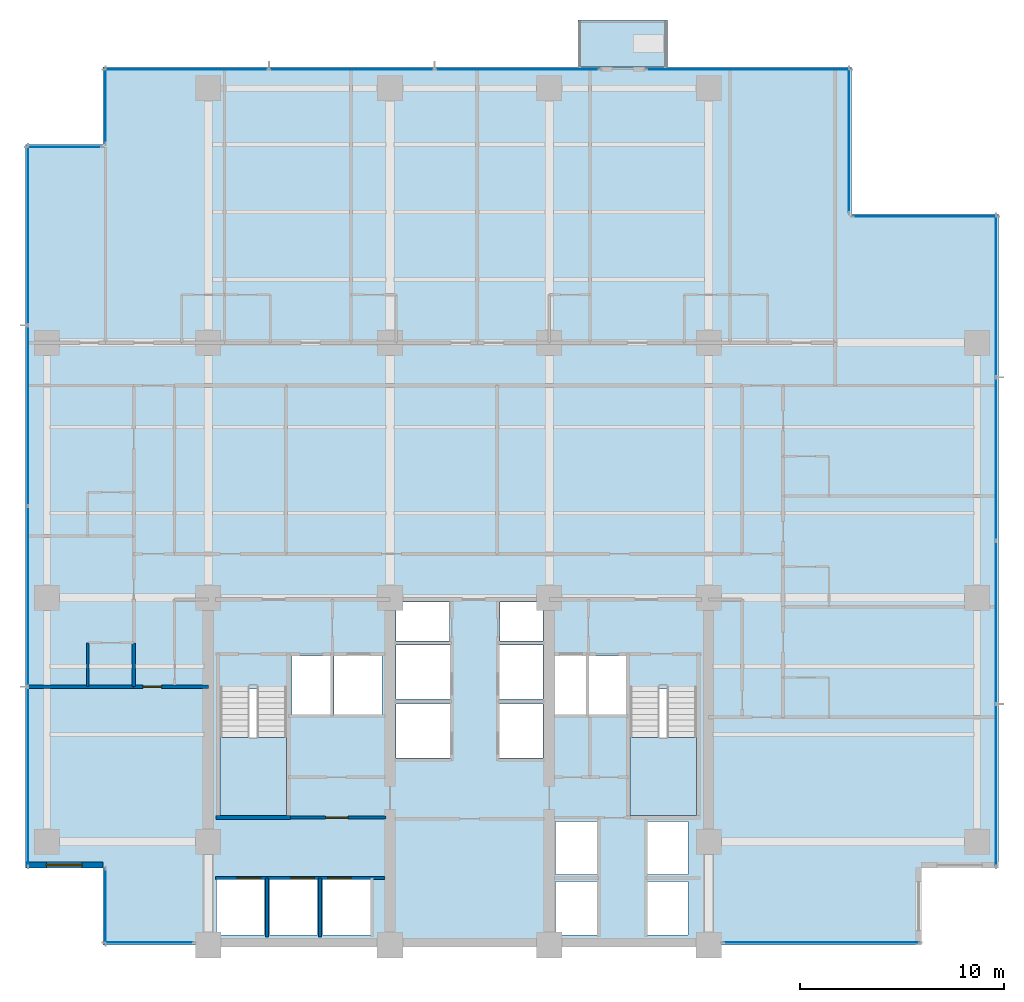
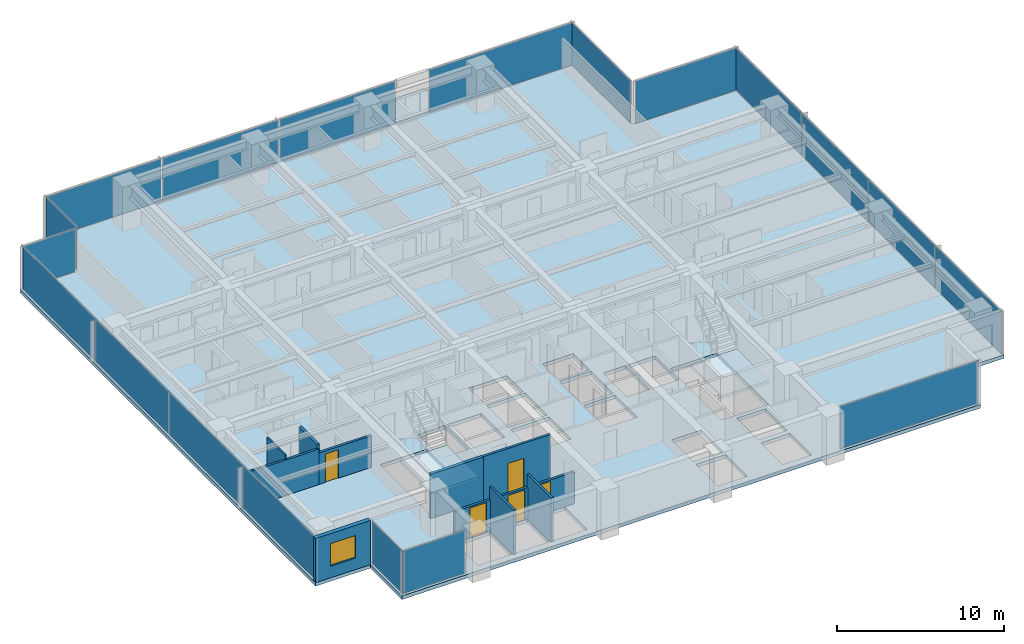
# One storey, part 7 of 17: 19 plates, 10 walls, 5 doors, 4 slabs, 1 window, 6 openings, 13 elements without a shape of their own.
"""IFC4 building model written with IfcOpenShell, lengths in metres."""

from ifc_helpers import new_model, si_unit, direction, frame, frame_2d, origin, origin_2d, place, context, subcontext, project, spatial, polyline, rectangle, outline, extrude, material, layer, layer_set, type_object, element, fill, aggregate, save


model = new_model("IFC4")

# Units and contexts
model_context = context("Model", 3, precision=1e-05, world=origin(), true_north=direction((0.0, 1.0)))
body_context = subcontext(model_context, "Body", "Model", "MODEL_VIEW")
ifc_project = project(units=[si_unit("LENGTHUNIT", "METRE"), si_unit("AREAUNIT", "SQUARE_METRE"), si_unit("VOLUMEUNIT", "CUBIC_METRE"), si_unit("PLANEANGLEUNIT", "RADIAN"), si_unit("MASSUNIT", "GRAM", prefix="KILO")], contexts=[model_context])

# Site, building, storey
site_placement = place(None, origin())
site = spatial("IfcSite", under=ifc_project, at=site_placement, CompositionType="ELEMENT")
building_placement = place(site_placement, origin())
building = spatial("IfcBuilding", under=site, at=building_placement, Name="Qalmaran Belvedere Hotel", CompositionType="ELEMENT")
storey_placement = place(building_placement, frame((0.0, 0.0, 102.199951171875)))
storey = spatial("IfcBuildingStorey", under=building, at=storey_placement, Name="L25", CompositionType="ELEMENT", Elevation=102.199951171875)

# Curtain wall, plate
ifc_material_1 = material(Name="Anodised Bronze Aluminium", Category="aluminium")
ifc_layer_1 = layer(ifc_material_1, 0.199951171875, Name="Anodised Bronze Aluminium")
ifc_layer_set_1 = layer_set([ifc_layer_1], Name="Anodised Bronze Aluminium")
curtain_wall_type = type_object("IfcCurtainWallType", Name="CW3-TOWER-LOWMID", PredefinedType="NOTDEFINED", material=ifc_layer_set_1)
curtain_wall_1_placement = place(storey_placement, origin())
curtain_wall_1 = element("IfcCurtainWall", 1, at=curtain_wall_1_placement, inside=storey, type_object=curtain_wall_type, Name="L25 Curtain Wall CW3", PredefinedType="NOTDEFINED")
ifc_material_2 = material(Name="Solar-Control Double Glazing", Category="glass")
ifc_layer_2 = layer(ifc_material_2, 0.028076171875, Name="Solar-Control Double Glazing")
ifc_layer_set_2 = layer_set([ifc_layer_2], Name="Solar-Control Double Glazing")
plate_type = type_object("IfcPlateType", Name="CWP-VISION-28", PredefinedType="CURTAIN_PANEL", material=ifc_layer_set_2)
plate_1_placement = place(storey_placement, frame((17.392578125, 3.6201171875, 0.06494140625), z_axis=(0.0, 0.0, 1.0), x_axis=(1.0, 0.0, 0.0)))
plate_1 = element("IfcPlate", 2, at=plate_1_placement, type_object=plate_type, Name="CW3 panel 1.1", PredefinedType="CURTAIN_PANEL", context=body_context, shape_type="SweptSolid", body=[
    extrude(rectangle(XDim=4.344970703125, YDim=0.028076171875, at=origin_2d()), origin(), (0.0, 0.0, 1.0), 3.110107421875),
])
aggregate(curtain_wall_1, [plate_1])

curtain_wall_2_placement = place(storey_placement, origin())
curtain_wall_2 = element("IfcCurtainWall", 3, at=curtain_wall_2_placement, inside=storey, type_object=curtain_wall_type, Name="L25 Curtain Wall CW3", PredefinedType="NOTDEFINED")
plate_2_placement = place(storey_placement, frame((50.33251953125, 3.6201171875, 0.06494140625), z_axis=(0.0, 0.0, 1.0), x_axis=(1.0, 0.0, 0.0)))
plate_2 = element("IfcPlate", 4, at=plate_2_placement, type_object=plate_type, Name="CW3 panel 1.1", PredefinedType="CURTAIN_PANEL", context=body_context, shape_type="SweptSolid", body=[
    extrude(rectangle(XDim=9.594970703125, YDim=0.028076171875, at=origin_2d()), origin(), (0.0, 0.0, 1.0), 3.110107421875),
])
aggregate(curtain_wall_2, [plate_2])

# Curtain wall, plates
curtain_wall_3_placement = place(storey_placement, origin())
curtain_wall_3 = element("IfcCurtainWall", 5, at=curtain_wall_3_placement, inside=storey, type_object=curtain_wall_type, Name="L25 Curtain Wall CW3", PredefinedType="NOTDEFINED")
plate_3_placement = place(storey_placement, frame((58.8798828125, 11.3173828125, 0.06494140625), z_axis=(0.0, 0.0, 1.0), x_axis=(0.0, 1.0, 0.0)))
plate_3 = element("IfcPlate", 6, at=plate_3_placement, type_object=plate_type, Name="CW3 panel 1.1", PredefinedType="CURTAIN_PANEL", context=body_context, shape_type="SweptSolid", body=[
    extrude(rectangle(XDim=7.89501953125, YDim=0.028076171875, at=origin_2d()), origin(), (0.0, 0.0, 1.0), 3.110107421875),
])
plate_4_placement = place(storey_placement, frame((58.8798828125, 19.300048828125, 0.06494140625), z_axis=(0.0, 0.0, 1.0), x_axis=(0.0, 1.0, 0.0)))
plate_4 = element("IfcPlate", 7, at=plate_4_placement, type_object=plate_type, Name="CW3 panel 2.1", PredefinedType="CURTAIN_PANEL", context=body_context, shape_type="SweptSolid", body=[
    extrude(rectangle(XDim=7.929931640625, YDim=0.028076171875, at=origin_2d()), origin(), (0.0, 0.0, 1.0), 3.110107421875),
])
plate_5_placement = place(storey_placement, frame((58.8798828125, 27.300048828125, 0.06494140625), z_axis=(0.0, 0.0, 1.0), x_axis=(0.0, 1.0, 0.0)))
plate_5 = element("IfcPlate", 8, at=plate_5_placement, type_object=plate_type, Name="CW3 panel 3.1", PredefinedType="CURTAIN_PANEL", context=body_context, shape_type="SweptSolid", body=[
    extrude(rectangle(XDim=7.929931640625, YDim=0.028076171875, at=origin_2d()), origin(), (0.0, 0.0, 1.0), 3.110107421875),
])
plate_6_placement = place(storey_placement, frame((58.8798828125, 35.282470703125, 0.06494140625), z_axis=(0.0, 0.0, 1.0), x_axis=(0.0, 1.0, 0.0)))
plate_6 = element("IfcPlate", 9, at=plate_6_placement, type_object=plate_type, Name="CW3 panel 4.1", PredefinedType="CURTAIN_PANEL", context=body_context, shape_type="SweptSolid", body=[
    extrude(rectangle(XDim=7.89501953125, YDim=0.028076171875, at=origin_2d()), origin(), (0.0, 0.0, 1.0), 3.110107421875),
])
aggregate(curtain_wall_3, [plate_3, plate_4, plate_5, plate_6])

# Curtain wall, plate
curtain_wall_4_placement = place(storey_placement, origin())
curtain_wall_4 = element("IfcCurtainWall", 10, at=curtain_wall_4_placement, inside=storey, type_object=curtain_wall_type, Name="L25 Curtain Wall CW3", PredefinedType="NOTDEFINED")
plate_7_placement = place(storey_placement, frame((55.39990234375, 39.179931640625, 0.06494140625), z_axis=(0.0, 0.0, 1.0), x_axis=(-1.0, 0.0, 0.0)))
plate_7 = element("IfcPlate", 11, at=plate_7_placement, type_object=plate_type, Name="CW3 panel 1.1", PredefinedType="CURTAIN_PANEL", context=body_context, shape_type="SweptSolid", body=[
    extrude(rectangle(XDim=7.06005859375, YDim=0.028076171875, at=origin_2d()), origin(), (0.0, 0.0, 1.0), 3.110107421875),
])
aggregate(curtain_wall_4, [plate_7])

curtain_wall_5_placement = place(storey_placement, origin())
curtain_wall_5 = element("IfcCurtainWall", 12, at=curtain_wall_5_placement, inside=storey, type_object=curtain_wall_type, Name="L25 Curtain Wall CW3", PredefinedType="NOTDEFINED")
plate_8_placement = place(storey_placement, frame((51.679931640625, 42.89990234375, 0.06494140625), z_axis=(0.0, 0.0, 1.0), x_axis=(0.0, 1.0, 0.0)))
plate_8 = element("IfcPlate", 13, at=plate_8_placement, type_object=plate_type, Name="CW3 panel 1.1", PredefinedType="CURTAIN_PANEL", context=body_context, shape_type="SweptSolid", body=[
    extrude(rectangle(XDim=7.06005859375, YDim=0.028076171875, at=origin_2d()), origin(), (0.0, 0.0, 1.0), 3.110107421875),
])
aggregate(curtain_wall_5, [plate_8])

# Curtain wall, plates
curtain_wall_6_placement = place(storey_placement, origin())
curtain_wall_6 = element("IfcCurtainWall", 14, at=curtain_wall_6_placement, inside=storey, type_object=curtain_wall_type, Name="L25 Curtain Wall CW3", PredefinedType="NOTDEFINED")
plate_9_placement = place(storey_placement, frame((35.424072265625, 46.3798828125, 0.06494140625), z_axis=(0.0, 0.0, 1.0), x_axis=(-1.0, 0.0, 0.0)))
plate_9 = element("IfcPlate", 15, at=plate_9_placement, type_object=plate_type, Name="CW3 panel 1.1", PredefinedType="CURTAIN_PANEL", context=body_context, shape_type="SweptSolid", body=[
    extrude(rectangle(XDim=8.01171875, YDim=0.028076171875, at=origin_2d()), origin(), (0.0, 0.0, 1.0), 3.110107421875),
])
plate_10_placement = place(storey_placement, frame((27.324951171875, 46.3798828125, 0.06494140625), z_axis=(0.0, 0.0, 1.0), x_axis=(-1.0, 0.0, 0.0)))
plate_10 = element("IfcPlate", 16, at=plate_10_placement, type_object=plate_type, Name="CW3 panel 2.1", PredefinedType="CURTAIN_PANEL", context=body_context, shape_type="SweptSolid", body=[
    extrude(rectangle(XDim=8.046630859375, YDim=0.028076171875, at=origin_2d()), origin(), (0.0, 0.0, 1.0), 3.110107421875),
])
plate_11_placement = place(storey_placement, frame((19.225830078125, 46.3798828125, 0.06494140625), z_axis=(0.0, 0.0, 1.0), x_axis=(-1.0, 0.0, 0.0)))
plate_11 = element("IfcPlate", 17, at=plate_11_placement, type_object=plate_type, Name="CW3 panel 3.1", PredefinedType="CURTAIN_PANEL", context=body_context, shape_type="SweptSolid", body=[
    extrude(rectangle(XDim=8.01171875, YDim=0.028076171875, at=origin_2d()), origin(), (0.0, 0.0, 1.0), 3.110107421875),
])
aggregate(curtain_wall_6, [plate_9, plate_10, plate_11])

# Curtain wall, plate
curtain_wall_7_placement = place(storey_placement, origin())
curtain_wall_7 = element("IfcCurtainWall", 18, at=curtain_wall_7_placement, inside=storey, type_object=curtain_wall_type, Name="L25 Curtain Wall CW3", PredefinedType="NOTDEFINED")
plate_12_placement = place(storey_placement, frame((46.75, 46.3798828125, 0.06494140625), z_axis=(0.0, 0.0, 1.0), x_axis=(-1.0, 0.0, 0.0)))
plate_12 = element("IfcPlate", 19, at=plate_12_placement, type_object=plate_type, Name="CW3 panel 1.1", PredefinedType="CURTAIN_PANEL", context=body_context, shape_type="SweptSolid", body=[
    extrude(rectangle(XDim=9.9599609375, YDim=0.028076171875, at=origin_2d()), origin(), (0.0, 0.0, 1.0), 3.110107421875),
])
aggregate(curtain_wall_7, [plate_12])

curtain_wall_8_placement = place(storey_placement, origin())
curtain_wall_8 = element("IfcCurtainWall", 20, at=curtain_wall_8_placement, inside=storey, type_object=curtain_wall_type, Name="L25 Curtain Wall CW3", PredefinedType="NOTDEFINED")
plate_13_placement = place(storey_placement, frame((15.27001953125, 44.60009765625, 0.06494140625), z_axis=(0.0, 0.0, 1.0), x_axis=(0.0, -1.0, 0.0)))
plate_13 = element("IfcPlate", 21, at=plate_13_placement, type_object=plate_type, Name="CW3 panel 1.1", PredefinedType="CURTAIN_PANEL", context=body_context, shape_type="SweptSolid", body=[
    extrude(rectangle(XDim=3.659912109375, YDim=0.028076171875, at=origin_2d()), origin(), (0.0, 0.0, 1.0), 3.110107421875),
])
aggregate(curtain_wall_8, [plate_13])

curtain_wall_9_placement = place(storey_placement, origin())
curtain_wall_9 = element("IfcCurtainWall", 22, at=curtain_wall_9_placement, inside=storey, type_object=curtain_wall_type, Name="L25 Curtain Wall CW3", PredefinedType="NOTDEFINED")
plate_14_placement = place(storey_placement, frame((13.25, 42.580078125, 0.06494140625), z_axis=(0.0, 0.0, 1.0), x_axis=(-1.0, 0.0, 0.0)))
plate_14 = element("IfcPlate", 23, at=plate_14_placement, type_object=plate_type, Name="CW3 panel 1.1", PredefinedType="CURTAIN_PANEL", context=body_context, shape_type="SweptSolid", body=[
    extrude(rectangle(XDim=3.659912109375, YDim=0.028076171875, at=origin_2d()), origin(), (0.0, 0.0, 1.0), 3.110107421875),
])
aggregate(curtain_wall_9, [plate_14])

# Curtain wall, plates
curtain_wall_10_placement = place(storey_placement, origin())
curtain_wall_10 = element("IfcCurtainWall", 24, at=curtain_wall_10_placement, inside=storey, type_object=curtain_wall_type, Name="L25 Curtain Wall CW3", PredefinedType="NOTDEFINED")
plate_15_placement = place(storey_placement, frame((11.469970703125, 38.257568359375, 0.06494140625), z_axis=(0.0, 0.0, 1.0), x_axis=(0.0, -1.0, 0.0)))
plate_15 = element("IfcPlate", 25, at=plate_15_placement, type_object=plate_type, Name="CW3 panel 1.1", PredefinedType="CURTAIN_PANEL", context=body_context, shape_type="SweptSolid", body=[
    extrude(rectangle(XDim=8.7451171875, YDim=0.028076171875, at=origin_2d()), origin(), (0.0, 0.0, 1.0), 3.110107421875),
])
plate_16_placement = place(storey_placement, frame((11.469970703125, 29.425048828125, 0.06494140625), z_axis=(0.0, 0.0, 1.0), x_axis=(0.0, -1.0, 0.0)))
plate_16 = element("IfcPlate", 26, at=plate_16_placement, type_object=plate_type, Name="CW3 panel 2.1", PredefinedType="CURTAIN_PANEL", context=body_context, shape_type="SweptSolid", body=[
    extrude(rectangle(XDim=8.780029296875, YDim=0.028076171875, at=origin_2d()), origin(), (0.0, 0.0, 1.0), 3.110107421875),
])
plate_17_placement = place(storey_placement, frame((11.469970703125, 20.574951171875, 0.06494140625), z_axis=(0.0, 0.0, 1.0), x_axis=(0.0, -1.0, 0.0)))
plate_17 = element("IfcPlate", 27, at=plate_17_placement, type_object=plate_type, Name="CW3 panel 3.1", PredefinedType="CURTAIN_PANEL", context=body_context, shape_type="SweptSolid", body=[
    extrude(rectangle(XDim=8.780029296875, YDim=0.028076171875, at=origin_2d()), origin(), (0.0, 0.0, 1.0), 3.110107421875),
])
plate_18_placement = place(storey_placement, frame((11.469970703125, 11.742431640625, 0.06494140625), z_axis=(0.0, 0.0, 1.0), x_axis=(0.0, -1.0, 0.0)))
plate_18 = element("IfcPlate", 28, at=plate_18_placement, type_object=plate_type, Name="CW3 panel 4.1", PredefinedType="CURTAIN_PANEL", context=body_context, shape_type="SweptSolid", body=[
    extrude(rectangle(XDim=8.7451171875, YDim=0.028076171875, at=origin_2d()), origin(), (0.0, 0.0, 1.0), 3.110107421875),
])
aggregate(curtain_wall_10, [plate_15, plate_16, plate_17, plate_18])

# Curtain wall, plate
curtain_wall_11_placement = place(storey_placement, origin())
curtain_wall_11 = element("IfcCurtainWall", 29, at=curtain_wall_11_placement, inside=storey, type_object=curtain_wall_type, Name="L25 Curtain Wall CW3", PredefinedType="NOTDEFINED")
plate_19_placement = place(storey_placement, frame((15.27001953125, 5.39990234375, 0.06494140625), z_axis=(0.0, 0.0, 1.0), x_axis=(0.0, -1.0, 0.0)))
plate_19 = element("IfcPlate", 30, at=plate_19_placement, type_object=plate_type, Name="CW3 panel 1.1", PredefinedType="CURTAIN_PANEL", context=body_context, shape_type="SweptSolid", body=[
    extrude(rectangle(XDim=3.659912109375, YDim=0.028076171875, at=origin_2d()), origin(), (0.0, 0.0, 1.0), 3.110107421875),
])
aggregate(curtain_wall_11, [plate_19])

# Slab
ifc_material_3 = material(Name="Concrete C40/50", Category="concrete")
ifc_layer_3 = layer(ifc_material_3, 0.219970703125, Name="Concrete C40/50")
ifc_layer_set_3 = layer_set([ifc_layer_3], Name="Concrete C40/50")
slab_type_1 = type_object("IfcSlabType", Name="SLB-BAL-220", PredefinedType="USERDEFINED", material=ifc_layer_set_3)
slab_1_placement = place(storey_placement, frame((0.0, 0.0, -0.219970703125)))
element("IfcSlab", 31, at=slab_1_placement, inside=storey, type_object=slab_type_1, Name="L25 Planted Tree Balcony Slab 1", ObjectType="BALCONY", PredefinedType="USERDEFINED", context=body_context, shape_type="SweptSolid", body=[
    extrude(outline(polyline([(38.39990234375, 46.5), (42.800048828125, 46.5), (42.800048828125, 48.800048828125), (38.39990234375, 48.800048828125), (38.39990234375, 46.5)])), origin(), (0.0, 0.0, 1.0), 0.219970703125),
])

# Stair, slab
stair_type_1 = type_object("IfcStairType", Name="STR-ST-1-1450-R1750", PredefinedType="HALF_TURN_STAIR", material=ifc_material_3)
stair_1_placement = place(storey_placement, origin())
stair_1 = element("IfcStair", 32, at=stair_1_placement, inside=storey, type_object=stair_type_1, Name="L25 West Core Exit Stair ST-1", PredefinedType="HALF_TURN_STAIR")
ifc_layer_4 = layer(ifc_material_3, 0.199951171875, Name="Concrete C40/50")
ifc_layer_set_4 = layer_set([ifc_layer_4], Name="Concrete C40/50")
slab_type_2 = type_object("IfcSlabType", Name="SLB-STAIR-LANDING-200", PredefinedType="LANDING", material=ifc_layer_set_4)
slab_2_placement = place(storey_placement, frame((0.0, 0.0, 1.550048828125)))
slab_2 = element("IfcSlab", 33, at=slab_2_placement, type_object=slab_type_2, Name="ST-1 landing 1", PredefinedType="LANDING", context=body_context, shape_type="SweptSolid", body=[
    extrude(outline(polyline([(20.8798828125, 13.669921875), (20.8798828125, 9.85009765625), (24.1201171875, 9.85009765625), (24.1201171875, 13.669921875), (20.8798828125, 13.669921875)])), origin(), (0.0, 0.0, 1.0), 0.199951171875),
])
aggregate(stair_1, [slab_2])

stair_type_2 = type_object("IfcStairType", Name="STR-ST-2-1450-R1750", PredefinedType="HALF_TURN_STAIR", material=ifc_material_3)
stair_2_placement = place(storey_placement, origin())
stair_2 = element("IfcStair", 34, at=stair_2_placement, inside=storey, type_object=stair_type_2, Name="L25 East Core Exit Stair ST-2", PredefinedType="HALF_TURN_STAIR")
slab_3_placement = place(storey_placement, frame((0.0, 0.0, 1.550048828125)))
slab_3 = element("IfcSlab", 35, at=slab_3_placement, type_object=slab_type_2, Name="ST-2 landing 1", PredefinedType="LANDING", context=body_context, shape_type="SweptSolid", body=[
    extrude(outline(polyline([(40.9599609375, 13.669921875), (40.9599609375, 9.85009765625), (44.199951171875, 9.85009765625), (44.199951171875, 13.669921875), (40.9599609375, 13.669921875)])), origin(), (0.0, 0.0, 1.0), 0.199951171875),
])
aggregate(stair_2, [slab_3])

# Slab
ifc_layer_5 = layer(ifc_material_3, 0.260009765625, Name="Concrete C40/50")
ifc_layer_set_5 = layer_set([ifc_layer_5], Name="Concrete C40/50")
slab_type_3 = type_object("IfcSlabType", Name="SLB-Z2-260", PredefinedType="FLOOR", material=ifc_layer_set_5)
slab_4_placement = place(storey_placement, frame((0.0, 0.0, -0.260009765625)))
element("IfcSlab", 36, at=slab_4_placement, inside=storey, type_object=slab_type_3, Name="L25 Structural Floor Slab", PredefinedType="FLOOR", context=body_context, shape_type="SweptSolid", body=[
    extrude(outline(polyline([(15.14990234375, 3.5), (55.199951171875, 3.5), (55.199951171875, 7.300048828125), (59.0, 7.300048828125), (59.0, 39.300048828125), (51.800048828125, 39.300048828125), (51.800048828125, 46.5), (15.14990234375, 46.5), (15.14990234375, 42.699951171875), (11.35009765625, 42.699951171875), (11.35009765625, 7.300048828125), (15.14990234375, 7.300048828125), (15.14990234375, 3.5)]), holes=[polyline([(20.8798828125, 9.85009765625), (24.1201171875, 9.85009765625), (24.1201171875, 16.0400390625), (20.8798828125, 16.0400390625), (20.8798828125, 9.85009765625)]), polyline([(40.9599609375, 9.85009765625), (44.199951171875, 9.85009765625), (44.199951171875, 16.0400390625), (40.9599609375, 16.0400390625), (40.9599609375, 9.85009765625)]), polyline([(29.4951171875, 12.64990234375), (32.14990234375, 12.64990234375), (32.14990234375, 15.300048828125), (29.4951171875, 15.300048828125), (29.4951171875, 12.64990234375)]), polyline([(29.4951171875, 15.550048828125), (32.14990234375, 15.550048828125), (32.14990234375, 18.199951171875), (29.4951171875, 18.199951171875), (29.4951171875, 15.550048828125)]), polyline([(34.550048828125, 12.64990234375), (36.705078125, 12.64990234375), (36.705078125, 15.300048828125), (34.550048828125, 15.300048828125), (34.550048828125, 12.64990234375)]), polyline([(34.550048828125, 15.550048828125), (36.705078125, 15.550048828125), (36.705078125, 18.199951171875), (34.550048828125, 18.199951171875), (34.550048828125, 15.550048828125)]), polyline([(37.300048828125, 4.0), (39.35009765625, 4.0), (39.35009765625, 6.60009765625), (37.300048828125, 6.60009765625), (37.300048828125, 4.0)]), polyline([(37.300048828125, 6.949951171875), (39.35009765625, 6.949951171875), (39.35009765625, 9.550048828125), (37.300048828125, 9.550048828125), (37.300048828125, 6.949951171875)]), polyline([(41.800048828125, 4.0), (43.800048828125, 4.0), (43.800048828125, 6.60009765625), (41.800048828125, 6.60009765625), (41.800048828125, 4.0)]), polyline([(41.800048828125, 6.949951171875), (43.800048828125, 6.949951171875), (43.800048828125, 9.550048828125), (41.800048828125, 9.550048828125), (41.800048828125, 6.949951171875)]), polyline([(20.699951171875, 4.0), (23.050048828125, 4.0), (23.050048828125, 6.699951171875), (20.699951171875, 6.699951171875), (20.699951171875, 4.0)]), polyline([(23.300048828125, 4.0), (25.64990234375, 4.0), (25.64990234375, 6.699951171875), (23.300048828125, 6.699951171875), (23.300048828125, 4.0)]), polyline([(25.89990234375, 4.0), (28.25, 4.0), (28.25, 6.699951171875), (25.89990234375, 6.699951171875), (25.89990234375, 4.0)]), polyline([(24.39990234375, 14.800048828125), (26.300048828125, 14.800048828125), (26.300048828125, 17.64990234375), (24.39990234375, 17.64990234375), (24.39990234375, 14.800048828125)]), polyline([(38.949951171875, 14.800048828125), (40.820068359375, 14.800048828125), (40.820068359375, 17.64990234375), (38.949951171875, 17.64990234375), (38.949951171875, 14.800048828125)]), polyline([(26.449951171875, 14.800048828125), (28.800048828125, 14.800048828125), (28.800048828125, 17.64990234375), (26.449951171875, 17.64990234375), (26.449951171875, 14.800048828125)]), polyline([(37.25, 14.800048828125), (38.800048828125, 14.800048828125), (38.800048828125, 17.64990234375), (37.25, 17.64990234375), (37.25, 14.800048828125)]), polyline([(29.4951171875, 18.3798828125), (32.1201171875, 18.3798828125), (32.1201171875, 20.300048828125), (29.4951171875, 20.300048828125), (29.4951171875, 18.3798828125)]), polyline([(34.580078125, 18.3798828125), (36.705078125, 18.3798828125), (36.705078125, 20.300048828125), (34.580078125, 20.300048828125), (34.580078125, 18.3798828125)])]), origin(), (0.0, 0.0, 1.0), 0.260009765625),
])

# Wall, opening, window
ifc_material_4 = material(Name="Anodised Bronze Cladding")
ifc_layer_6 = layer(ifc_material_4, 0.280029296875, Name="Anodised Bronze Cladding")
ifc_layer_set_6 = layer_set([ifc_layer_6], Name="Anodised Bronze Cladding")
wall_type_1 = type_object("IfcWallType", Name="WL-EXT-BRNZ-280", PredefinedType="SOLIDWALL", material=ifc_layer_set_6)
wall_1_placement = place(storey_placement, frame((11.35009765625, 7.419921875, 0.0), z_axis=(0.0, 0.0, 1.0), x_axis=(1.0, 0.0, 0.0)))
wall_1 = element("IfcWall", 37, at=wall_1_placement, inside=storey, type_object=wall_type_1, Name="L25 Corner Notch Wall 10", PredefinedType="SOLIDWALL", context=body_context, shape_type="SweptSolid", body=[
    extrude(rectangle(XDim=3.7998046875, YDim=0.280029296875, at=frame_2d((1.89990234375, 0.0))), origin(), (0.0, 0.0, 1.0), 3.239990234375),
])
opening_1_placement = place(wall_1_placement, frame((1.02490234375, 0.0, 0.85009765625)))
opening_1 = element("IfcOpeningElement", 38, at=opening_1_placement, cuts=wall_1, Name="Opening W-N17", PredefinedType="OPENING", context=body_context, shape_type="SweptSolid", body=[
    extrude(rectangle(XDim=1.75, YDim=1.64990234375, at=frame_2d((0.875, 0.824951171875))), frame((0.0, 0.14990234375, 0.0), z_axis=(0.0, -1.0, 0.0), x_axis=(1.0, 0.0, 0.0)), (0.0, 0.0, 1.0), 0.300048828125),
])
window_type = type_object("IfcWindowType", Name="WN-NTC-1750X1650", PartitioningType="SINGLE_PANEL", PredefinedType="WINDOW", material=ifc_material_2)
window_placement = place(opening_1_placement, origin())
window = element("IfcWindow", 39, at=window_placement, inside=storey, type_object=window_type, Name="L25 Corner Notch Window 10", OverallHeight=1.64990234375, OverallWidth=1.75, PartitioningType="SINGLE_PANEL", PredefinedType="WINDOW", context=body_context, shape_type="SweptSolid", body=[
    extrude(rectangle(XDim=1.75, YDim=1.64990234375, at=frame_2d((0.875, 0.824951171875))), frame((0.0, 0.030029296875, 0.0), z_axis=(0.0, -1.0, 0.0), x_axis=(1.0, 0.0, 0.0)), (0.0, 0.0, 1.0), 0.06005859375),
])
fill(opening_1, window)

# Walls
ifc_material_5 = material(Name="Moisture-Resistant Gypsum")
ifc_layer_7 = layer(ifc_material_5, 0.1201171875, Name="Moisture-Resistant Gypsum")
ifc_layer_set_7 = layer_set([ifc_layer_7], Name="Moisture-Resistant Gypsum")
wall_type_2 = type_object("IfcWallType", Name="WL-INT-120-BATH", PredefinedType="PARTITIONING", material=ifc_layer_set_7)
wall_2_placement = place(storey_placement, frame((14.39990234375, 16.14990234375, 0.0), z_axis=(0.0, 0.0, 1.0), x_axis=(0.0, 1.0, 0.0)))
element("IfcWall", 40, at=wall_2_placement, inside=storey, type_object=wall_type_2, Name="L25 Partition WL-L25-WBS00", PredefinedType="PARTITIONING", context=body_context, shape_type="SweptSolid", body=[
    extrude(rectangle(XDim=2.150146484375, YDim=0.1201171875, at=frame_2d((1.0751953125, 0.0))), origin(), (0.0, 0.0, 1.0), 2.922119140625),
])
ifc_material_6 = material(Name="Gypsum Stud Partition")
ifc_layer_8 = layer(ifc_material_6, 0.14990234375, Name="Gypsum Stud Partition")
ifc_layer_set_8 = layer_set([ifc_layer_8], Name="Gypsum Stud Partition")
wall_type_3 = type_object("IfcWallType", Name="WL-INT-150-EI120", PredefinedType="PARTITIONING", material=ifc_layer_set_8)
for number, where, z_axis, x_axis, name in (
    (41, (23.179931640625, 3.89990234375, 0.0), (0.0, 0.0, 1.0), (0.0, 1.0, 0.0), "L25 Partition WL-POM1-L25"),
    (42, (25.780029296875, 3.89990234375, 0.0), (0.0, 0.0, 1.0), (0.0, 1.0, 0.0), "L25 Partition WL-POM2-L25"),
):
    element("IfcWall", number, at=place(storey_placement, frame(where, z_axis=z_axis, x_axis=x_axis)), inside=storey, type_object=wall_type_3, Name=name, PredefinedType="PARTITIONING", context=body_context, shape_type="SweptSolid", body=[
        extrude(rectangle(XDim=2.880126953125, YDim=0.14990234375, at=frame_2d((1.43994140625, 0.0))), origin(), (0.0, 0.0, 1.0), 3.239990234375),
    ])

# Wall, openings, doors
ifc_layer_9 = layer(ifc_material_6, 0.159912109375, Name="Gypsum Stud Partition")
ifc_layer_set_9 = layer_set([ifc_layer_9], Name="Gypsum Stud Partition")
wall_type_4 = type_object("IfcWallType", Name="WL-INT-160-EI120", PredefinedType="PARTITIONING", material=ifc_layer_set_9)
wall_3_placement = place(storey_placement, frame((20.64990234375, 6.780029296875, 0.0), z_axis=(0.0, 0.0, 1.0), x_axis=(1.0, 0.0, 0.0)))
wall_3 = element("IfcWall", 43, at=wall_3_placement, inside=storey, type_object=wall_type_4, Name="L25 Partition WL-POS-L25", PredefinedType="PARTITIONING", context=body_context, shape_type="SweptSolid", body=[
    extrude(rectangle(XDim=8.300048828125, YDim=0.159912109375, at=frame_2d((4.14990234375, 0.0))), origin(), (0.0, 0.0, 1.0), 2.31298828125),
])
opening_2_placement = place(wall_3_placement, frame((3.69482421875, 0.0, 0.0)))
opening_2 = element("IfcOpeningElement", 44, at=opening_2_placement, cuts=wall_3, Name="Opening LD-PO", PredefinedType="OPENING", context=body_context, shape_type="SweptSolid", body=[
    extrude(rectangle(XDim=1.14990234375, YDim=2.199951171875, at=frame_2d((0.574951171875, 1.10009765625))), frame((0.0, 0.08984375, 0.0), z_axis=(0.0, -1.0, 0.0), x_axis=(1.0, 0.0, 0.0)), (0.0, 0.0, 1.0), 0.179931640625),
])
opening_3_placement = place(wall_3_placement, frame((5.4921875, 0.0, 0.0)))
opening_3 = element("IfcOpeningElement", 45, at=opening_3_placement, cuts=wall_3, Name="Opening LD-PO", PredefinedType="OPENING", context=body_context, shape_type="SweptSolid", body=[
    extrude(rectangle(XDim=1.14990234375, YDim=2.199951171875, at=frame_2d((0.574951171875, 1.10009765625))), frame((0.0, 0.08984375, 0.0), z_axis=(0.0, -1.0, 0.0), x_axis=(1.0, 0.0, 0.0)), (0.0, 0.0, 1.0), 0.179931640625),
])
opening_4_placement = place(wall_3_placement, frame((1.058837890625, 0.0, 0.0)))
opening_4 = element("IfcOpeningElement", 46, at=opening_4_placement, cuts=wall_3, Name="Opening LD-PO", PredefinedType="OPENING", context=body_context, shape_type="SweptSolid", body=[
    extrude(rectangle(XDim=1.14990234375, YDim=2.199951171875, at=frame_2d((0.574951171875, 1.10009765625))), frame((0.0, 0.08984375, 0.0), z_axis=(0.0, -1.0, 0.0), x_axis=(1.0, 0.0, 0.0)), (0.0, 0.0, 1.0), 0.179931640625),
])
door_type_1 = type_object("IfcDoorType", Name="DR-LIFT-PO-1150X2200", OperationType="DOUBLE_DOOR_SLIDING", PredefinedType="DOOR", material=ifc_material_1)
door_1_placement = place(opening_2_placement, origin())
door_1 = element("IfcDoor", 47, at=door_1_placement, inside=storey, type_object=door_type_1, Name="L25 PO1 Shuttle Landing Door", OperationType="DOUBLE_DOOR_SLIDING", OverallHeight=2.199951171875, OverallWidth=1.14990234375, PredefinedType="DOOR", context=body_context, shape_type="SweptSolid", body=[
    extrude(rectangle(XDim=1.14990234375, YDim=2.199951171875, at=frame_2d((0.574951171875, 1.10009765625))), frame((0.0, 0.02490234375, 0.0), z_axis=(0.0, -1.0, 0.0), x_axis=(1.0, 0.0, 0.0)), (0.0, 0.0, 1.0), 0.050048828125),
])
fill(opening_2, door_1)
door_2_placement = place(opening_3_placement, origin())
door_2 = element("IfcDoor", 48, at=door_2_placement, inside=storey, type_object=door_type_1, Name="L25 PO2 Shuttle Landing Door", OperationType="DOUBLE_DOOR_SLIDING", OverallHeight=2.199951171875, OverallWidth=1.14990234375, PredefinedType="DOOR", context=body_context, shape_type="SweptSolid", body=[
    extrude(rectangle(XDim=1.14990234375, YDim=2.199951171875, at=frame_2d((0.574951171875, 1.10009765625))), frame((0.0, 0.02490234375, 0.0), z_axis=(0.0, -1.0, 0.0), x_axis=(1.0, 0.0, 0.0)), (0.0, 0.0, 1.0), 0.050048828125),
])
fill(opening_3, door_2)
door_3_placement = place(opening_4_placement, origin())
door_3 = element("IfcDoor", 49, at=door_3_placement, inside=storey, type_object=door_type_1, Name="L25 PO3 Shuttle Landing Door", OperationType="DOUBLE_DOOR_SLIDING", OverallHeight=2.199951171875, OverallWidth=1.14990234375, PredefinedType="DOOR", context=body_context, shape_type="SweptSolid", body=[
    extrude(rectangle(XDim=1.14990234375, YDim=2.199951171875, at=frame_2d((0.574951171875, 1.10009765625))), frame((0.0, 0.02490234375, 0.0), z_axis=(0.0, -1.0, 0.0), x_axis=(1.0, 0.0, 0.0)), (0.0, 0.0, 1.0), 0.050048828125),
])
fill(opening_4, door_3)

# Wall, opening, door
wall_4_placement = place(storey_placement, frame((24.199951171875, 9.739990234375, 0.0), z_axis=(0.0, 0.0, 1.0), x_axis=(1.0, 0.0, 0.0)))
wall_4 = element("IfcWall", 50, at=wall_4_placement, inside=storey, type_object=wall_type_4, Name="L25 Partition WL-PON-L25", PredefinedType="PARTITIONING", context=body_context, shape_type="SweptSolid", body=[
    extrude(rectangle(XDim=4.800048828125, YDim=0.159912109375, at=frame_2d((2.39990234375, 0.0))), origin(), (0.0, 0.0, 1.0), 3.239990234375),
])
opening_5_placement = place(wall_4_placement, frame((1.85009765625, 0.0, 0.0)))
opening_5 = element("IfcOpeningElement", 51, at=opening_5_placement, cuts=wall_4, Name="Opening FD90", PredefinedType="OPENING", context=body_context, shape_type="SweptSolid", body=[
    extrude(rectangle(XDim=1.10009765625, YDim=2.14990234375, at=frame_2d((0.550048828125, 1.074951171875))), frame((0.0, 0.08984375, 0.0), z_axis=(0.0, -1.0, 0.0), x_axis=(1.0, 0.0, 0.0)), (0.0, 0.0, 1.0), 0.179931640625),
])
ifc_material_7 = material(Name="Steel S355JR", Category="steel")
door_type_2 = type_object("IfcDoorType", Name="DR-FD90-1100X2150", OperationType="NOTDEFINED", PredefinedType="DOOR", material=ifc_material_7)
door_4_placement = place(opening_5_placement, origin())
door_4 = element("IfcDoor", 52, at=door_4_placement, inside=storey, type_object=door_type_2, Name="L25 Shuttle Lobby Passage Door", OperationType="SINGLE_SWING_RIGHT", OverallHeight=2.14990234375, OverallWidth=1.10009765625, PredefinedType="DOOR", context=body_context, shape_type="SweptSolid", body=[
    extrude(rectangle(XDim=1.10009765625, YDim=2.14990234375, at=frame_2d((0.550048828125, 1.074951171875))), frame((0.0, 0.02490234375, 0.0), z_axis=(0.0, -1.0, 0.0), x_axis=(1.0, 0.0, 0.0)), (0.0, 0.0, 1.0), 0.050048828125),
])
fill(opening_5, door_4)

ifc_layer_10 = layer(ifc_material_6, 0.159912109375, Name="Gypsum Stud Partition")
ifc_layer_set_10 = layer_set([ifc_layer_10], Name="Gypsum Stud Partition")
wall_type_5 = type_object("IfcWallType", Name="WL-INT-160-EI60", PredefinedType="PARTITIONING", material=ifc_layer_set_10)
wall_5_placement = place(storey_placement, frame((16.64990234375, 16.14990234375, 0.0), z_axis=(0.0, 0.0, 1.0), x_axis=(1.0, 0.0, 0.0)))
wall_5 = element("IfcWall", 53, at=wall_5_placement, inside=storey, type_object=wall_type_5, Name="L25 Partition WL-L25-SWRL", PredefinedType="PARTITIONING", context=body_context, shape_type="SweptSolid", body=[
    extrude(rectangle(XDim=3.650146484375, YDim=0.159912109375, at=frame_2d((1.8251953125, 0.0))), origin(), (0.0, 0.0, 1.0), 2.31298828125),
])
opening_6_placement = place(wall_5_placement, frame((1.369873046875, 0.0, 0.0), z_axis=(0.0, 0.0, 1.0), x_axis=(-1.0, 0.0, 0.0)))
opening_6 = element("IfcOpeningElement", 54, at=opening_6_placement, cuts=wall_5, Name="Opening FD60S1", PredefinedType="OPENING", context=body_context, shape_type="SweptSolid", body=[
    extrude(rectangle(XDim=0.919921875, YDim=2.080078125, at=frame_2d((0.4599609375, 1.0400390625))), frame((0.0, 0.08984375, 0.0), z_axis=(0.0, -1.0, 0.0), x_axis=(1.0, 0.0, 0.0)), (0.0, 0.0, 1.0), 0.179931640625),
])
ifc_material_8 = material(Name="Engineered Oak Veneer")
door_type_3 = type_object("IfcDoorType", Name="DR-FD60S-920X2080", OperationType="NOTDEFINED", PredefinedType="DOOR", material=ifc_material_8)
door_5_placement = place(opening_6_placement, origin())
door_5 = element("IfcDoor", 55, at=door_5_placement, inside=storey, type_object=door_type_3, Name="L25 SW Lounge Door", OperationType="SINGLE_SWING_LEFT", OverallHeight=2.080078125, OverallWidth=0.919921875, PredefinedType="DOOR", context=body_context, shape_type="SweptSolid", body=[
    extrude(rectangle(XDim=0.919921875, YDim=2.080078125, at=frame_2d((0.4599609375, 1.0400390625))), frame((0.0, 0.02490234375, 0.0), z_axis=(0.0, -1.0, 0.0), x_axis=(1.0, 0.0, 0.0)), (0.0, 0.0, 1.0), 0.050048828125),
])
fill(opening_6, door_5)

# Walls
wall_6_placement = place(storey_placement, frame((11.469970703125, 16.14990234375, 0.0), z_axis=(0.0, 0.0, 1.0), x_axis=(1.0, 0.0, 0.0)))
element("IfcWall", 56, at=wall_6_placement, inside=storey, type_object=wall_type_5, Name="L25 Partition WL-L25-WBOT", PredefinedType="PARTITIONING", context=body_context, shape_type="SweptSolid", body=[
    extrude(rectangle(XDim=5.179931640625, YDim=0.159912109375, at=frame_2d((2.58984375, 0.0))), origin(), (0.0, 0.0, 1.0), 2.60302734375),
])
ifc_layer_11 = layer(ifc_material_6, 0.179931640625, Name="Gypsum Stud Partition")
ifc_layer_set_11 = layer_set([ifc_layer_11], Name="Gypsum Stud Partition")
wall_type_6 = type_object("IfcWallType", Name="WL-INT-180-EI60", PredefinedType="PARTITIONING", material=ifc_layer_set_11)
wall_7_placement = place(storey_placement, frame((16.64990234375, 16.14990234375, 0.0), z_axis=(0.0, 0.0, 1.0), x_axis=(0.0, 1.0, 0.0)))
element("IfcWall", 57, at=wall_7_placement, inside=storey, type_object=wall_type_6, Name="L25 Partition WL-L25-WBC00", PredefinedType="PARTITIONING", context=body_context, shape_type="SweptSolid", body=[
    extrude(rectangle(XDim=2.150146484375, YDim=0.179931640625, at=frame_2d((1.0751953125, 0.0))), origin(), (0.0, 0.0, 1.0), 2.922119140625),
])
ifc_material_9 = material(Name="Concrete C50/60", Category="concrete")
ifc_layer_12 = layer(ifc_material_9, 0.2099609375, Name="Concrete C50/60")
ifc_layer_set_12 = layer_set([ifc_layer_12], Name="Concrete C50/60")
wall_type_7 = type_object("IfcWallType", Name="WL-STAIR-210-C50", PredefinedType="SHEAR", material=ifc_layer_set_12)
wall_8_placement = place(storey_placement, frame((20.669921875, 9.7451171875, 0.0), z_axis=(0.0, 0.0, 1.0), x_axis=(1.0, 0.0, 0.0)))
element("IfcWall", 58, at=wall_8_placement, inside=storey, type_object=wall_type_7, Name="L25 Stair ST-1 South Bearing Wall", PredefinedType="SHEAR", context=body_context, shape_type="SweptSolid", body=[
    extrude(rectangle(XDim=3.66015625, YDim=0.2099609375, at=frame_2d((1.830078125, 0.0))), origin(), (0.0, 0.0, 1.0), 3.239990234375),
])

save(model, "model.ifc")
